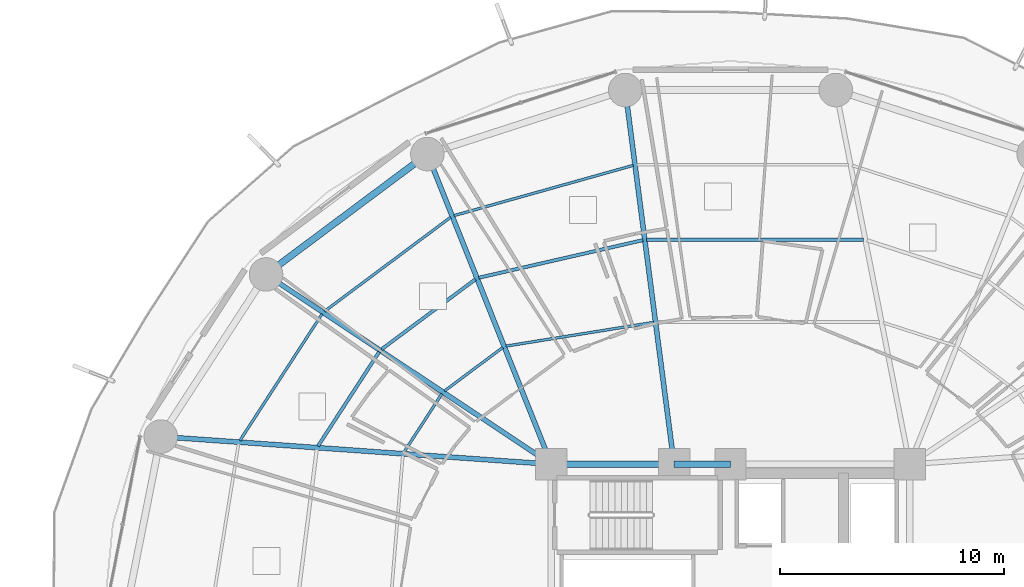
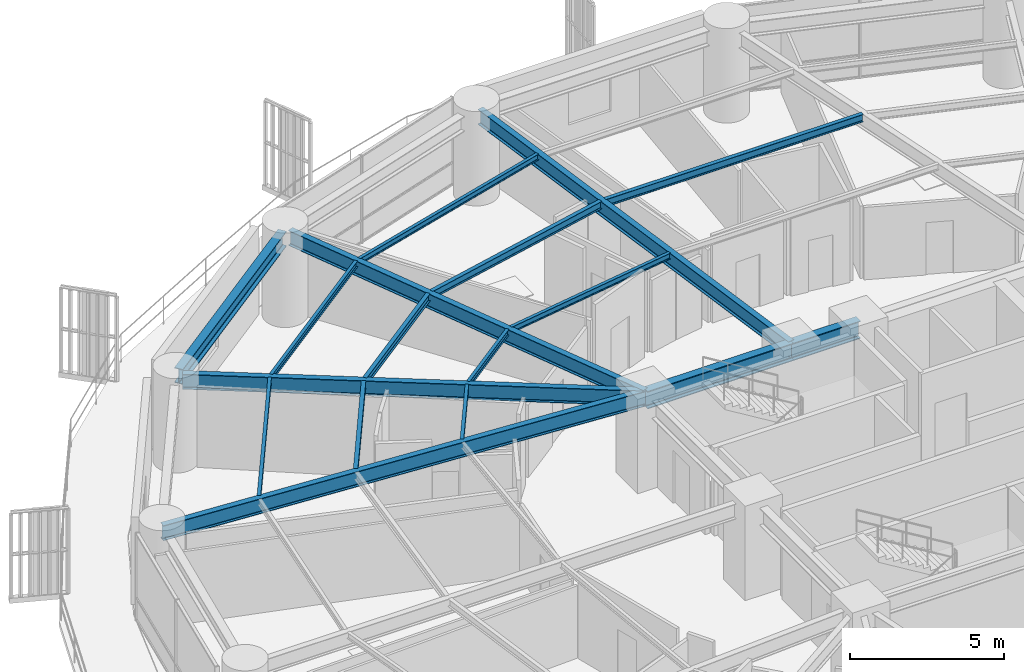
# One storey, part 16 of 33: 17 beams.
"""IFC4 building model written with IfcOpenShell, lengths in metres."""

from ifc_helpers import new_model, si_unit, direction, frame, origin, origin_2d, place, context, subcontext, project, spatial, i_section, extrude, material, material_profile, profile_set, type_object, element, save


model = new_model("IFC4")

# Units and contexts
model_context = context("Model", 3, precision=1e-05, world=origin(), true_north=direction((0.0, 1.0)))
body_context = subcontext(model_context, "Body", "Model", "MODEL_VIEW")
ifc_project = project(units=[si_unit("LENGTHUNIT", "METRE"), si_unit("AREAUNIT", "SQUARE_METRE"), si_unit("VOLUMEUNIT", "CUBIC_METRE"), si_unit("PLANEANGLEUNIT", "RADIAN"), si_unit("MASSUNIT", "GRAM", prefix="KILO")], contexts=[model_context])

# Site, building, storey
site_placement = place(None, origin())
site = spatial("IfcSite", under=ifc_project, at=site_placement, CompositionType="ELEMENT")
building_placement = place(site_placement, origin())
building = spatial("IfcBuilding", under=site, at=building_placement, Name="Kelanora Arch Commons", CompositionType="ELEMENT")
storey_placement = place(building_placement, frame((0.0, 0.0, 37.5)))
storey = spatial("IfcBuildingStorey", under=building, at=storey_placement, Name="L09", CompositionType="ELEMENT", Elevation=37.5)

# Beams
ifc_material = material(Name="Steel S355", Category="steel")
ifc_material_profile_1 = material_profile(ifc_material, i_section(OverallWidth=0.300048828125, OverallDepth=0.699951171875, WebThickness=0.01708984375, FlangeThickness=0.031982421875, FilletRadius=0.027099609375, at=origin_2d()), Name="HEB700")
ifc_profile_set_1 = profile_set([ifc_material_profile_1], Name="Steel S355")
beam_type_1 = type_object("IfcBeamType", Name="BM-CORE-HDR", PredefinedType="BEAM", material=ifc_profile_set_1)
beam_1_placement = place(storey_placement, frame((74.0, 65.0, 3.139892578125), z_axis=(-1.0, 0.0, 0.0), x_axis=(0.0, -1.0, 0.0)))
element("IfcBeam", 1, at=beam_1_placement, inside=storey, type_object=beam_type_1, Name="Core Header Beam 06 L09", PredefinedType="BEAM", context=body_context, shape_type="SweptSolid", body=[
    extrude(i_section(OverallWidth=0.300048828125, OverallDepth=0.699951171875, WebThickness=0.01708984375, FlangeThickness=0.031982421875, FilletRadius=0.027099609375, at=origin_2d()), origin(), (0.0, 0.0, 1.0), 2.52001953125),
])
beam_2_placement = place(storey_placement, frame((71.47998046875, 65.0, 3.139892578125), z_axis=(-1.0, 0.0, 0.0), x_axis=(0.0, -1.0, 0.0)))
element("IfcBeam", 2, at=beam_2_placement, inside=storey, type_object=beam_type_1, Name="Core Header Beam 07 L09", PredefinedType="BEAM", context=body_context, shape_type="SweptSolid", body=[
    extrude(i_section(OverallWidth=0.300048828125, OverallDepth=0.699951171875, WebThickness=0.01708984375, FlangeThickness=0.031982421875, FilletRadius=0.027099609375, at=origin_2d()), origin(), (0.0, 0.0, 1.0), 5.47998046875),
])
ifc_material_profile_2 = material_profile(ifc_material, i_section(OverallWidth=0.14990234375, OverallDepth=0.300048828125, WebThickness=0.007080078125, FlangeThickness=0.0107421875, FilletRadius=0.014892578125, at=origin_2d()), Name="IPE300")
ifc_profile_set_2 = profile_set([ifc_material_profile_2], Name="Steel S355")
beam_type_2 = type_object("IfcBeamType", Name="BM-JST-01", PredefinedType="JOIST", material=ifc_profile_set_2)
beam_3_placement = place(storey_placement, frame((79.936279296875, 75.028564453125, 3.340087890625), z_axis=(-1.0, 0.0, 0.0), x_axis=(0.0, -1.0, 0.0)))
element("IfcBeam", 3, at=beam_3_placement, inside=storey, type_object=beam_type_2, Name="Secondary Chord Joist BJB-08 L09", PredefinedType="JOIST", context=body_context, shape_type="SweptSolid", body=[
    extrude(i_section(OverallWidth=0.14990234375, OverallDepth=0.300048828125, WebThickness=0.007080078125, FlangeThickness=0.0107421875, FilletRadius=0.014892578125, at=origin_2d()), origin(), (0.0, 0.0, 1.0), 9.6806640625),
])
beam_4_placement = place(storey_placement, frame((70.087646484375, 75.009521484375, 3.340087890625), z_axis=(-0.974770159254, -0.223210968877, 0.0), x_axis=(0.223210968877, -0.974770159254, 0.0)))
element("IfcBeam", 4, at=beam_4_placement, inside=storey, type_object=beam_type_2, Name="Secondary Chord Joist BJB-10 L09", PredefinedType="JOIST", context=body_context, shape_type="SweptSolid", body=[
    extrude(i_section(OverallWidth=0.14990234375, OverallDepth=0.300048828125, WebThickness=0.007080078125, FlangeThickness=0.0107421875, FilletRadius=0.014892578125, at=origin_2d()), origin(), (0.0, 0.0, 1.0), 7.5185546875),
])
beam_5_placement = place(storey_placement, frame((62.60791015625, 73.261474609375, 3.340087890625), z_axis=(-0.801478251559, -0.598023922831, 0.0), x_axis=(0.598023922831, -0.801478251559, 0.0)))
element("IfcBeam", 5, at=beam_5_placement, inside=storey, type_object=beam_type_2, Name="Secondary Chord Joist BJB-12 L09", PredefinedType="JOIST", context=body_context, shape_type="SweptSolid", body=[
    extrude(i_section(OverallWidth=0.14990234375, OverallDepth=0.300048828125, WebThickness=0.007080078125, FlangeThickness=0.0107421875, FilletRadius=0.014892578125, at=origin_2d()), origin(), (0.0, 0.0, 1.0), 5.223388671875),
])
beam_6_placement = place(storey_placement, frame((58.306884765625, 70.015625, 3.340087890625), z_axis=(-0.544551588245, -0.838727350061, 0.0), x_axis=(0.838727350061, -0.544551588245, 0.0)))
element("IfcBeam", 6, at=beam_6_placement, inside=storey, type_object=beam_type_2, Name="Secondary Chord Joist BJB-14 L09", PredefinedType="JOIST", context=body_context, shape_type="SweptSolid", body=[
    extrude(i_section(OverallWidth=0.14990234375, OverallDepth=0.300048828125, WebThickness=0.007080078125, FlangeThickness=0.0107421875, FilletRadius=0.014892578125, at=origin_2d()), origin(), (0.0, 0.0, 1.0), 5.010986328125),
])
ifc_material_profile_3 = material_profile(ifc_material, i_section(OverallWidth=0.1201171875, OverallDepth=0.239990234375, WebThickness=0.006103515625, FlangeThickness=0.009765625, FilletRadius=0.014892578125, at=origin_2d()), Name="IPE240")
ifc_profile_set_3 = profile_set([ifc_material_profile_3], Name="Steel S355")
beam_type_3 = type_object("IfcBeamType", Name="BM-JST-02", PredefinedType="JOIST", material=ifc_profile_set_3)
beam_7_placement = place(storey_placement, frame((70.56689453125, 71.337890625, 3.3701171875), z_axis=(-0.987306715654, -0.158825215959, 0.0), x_axis=(0.158825215959, -0.987306715654, 0.0)))
element("IfcBeam", 7, at=beam_7_placement, inside=storey, type_object=beam_type_3, Name="Secondary Chord Joist BJA-10 L09", PredefinedType="JOIST", context=body_context, shape_type="SweptSolid", body=[
    extrude(i_section(OverallWidth=0.1201171875, OverallDepth=0.239990234375, WebThickness=0.006103515625, FlangeThickness=0.009765625, FilletRadius=0.014892578125, at=origin_2d()), origin(), (0.0, 0.0, 1.0), 6.6728515625),
])
beam_8_placement = place(storey_placement, frame((69.652099609375, 78.348388671875, 3.3701171875), z_axis=(-0.962914880978, -0.269805359456, 0.0), x_axis=(0.269805359456, -0.962914880978, 0.0)))
element("IfcBeam", 8, at=beam_8_placement, inside=storey, type_object=beam_type_3, Name="Secondary Chord Joist BJC-10 L09", PredefinedType="JOIST", context=body_context, shape_type="SweptSolid", body=[
    extrude(i_section(OverallWidth=0.1201171875, OverallDepth=0.239990234375, WebThickness=0.006103515625, FlangeThickness=0.009765625, FilletRadius=0.014892578125, at=origin_2d()), origin(), (0.0, 0.0, 1.0), 8.310302734375),
])
beam_9_placement = place(storey_placement, frame((63.82666015625, 70.213623046875, 3.3701171875), z_axis=(-0.801513822608, -0.59797624716, 0.0), x_axis=(0.59797624716, -0.801513822608, 0.0)))
element("IfcBeam", 9, at=beam_9_placement, inside=storey, type_object=beam_type_3, Name="Secondary Chord Joist BJA-12 L09", PredefinedType="JOIST", context=body_context, shape_type="SweptSolid", body=[
    extrude(i_section(OverallWidth=0.1201171875, OverallDepth=0.239990234375, WebThickness=0.006103515625, FlangeThickness=0.009765625, FilletRadius=0.014892578125, at=origin_2d()), origin(), (0.0, 0.0, 1.0), 3.245849609375),
])
beam_10_placement = place(storey_placement, frame((61.5, 76.0322265625, 3.3701171875), z_axis=(-0.80149131963, -0.598006408459, 0.0), x_axis=(0.598006408459, -0.80149131963, 0.0)))
element("IfcBeam", 10, at=beam_10_placement, inside=storey, type_object=beam_type_3, Name="Secondary Chord Joist BJC-12 L09", PredefinedType="JOIST", context=body_context, shape_type="SweptSolid", body=[
    extrude(i_section(OverallWidth=0.1201171875, OverallDepth=0.239990234375, WebThickness=0.006103515625, FlangeThickness=0.009765625, FilletRadius=0.014892578125, at=origin_2d()), origin(), (0.0, 0.0, 1.0), 7.021240234375),
])
beam_11_placement = place(storey_placement, frame((61.11083984375, 68.150390625, 3.3701171875), z_axis=(-0.544591105858, -0.838701691557, 0.0), x_axis=(0.838701691557, -0.544591105858, 0.0)))
element("IfcBeam", 11, at=beam_11_placement, inside=storey, type_object=beam_type_3, Name="Secondary Chord Joist BJA-14 L09", PredefinedType="JOIST", context=body_context, shape_type="SweptSolid", body=[
    extrude(i_section(OverallWidth=0.1201171875, OverallDepth=0.239990234375, WebThickness=0.006103515625, FlangeThickness=0.009765625, FilletRadius=0.014892578125, at=origin_2d()), origin(), (0.0, 0.0, 1.0), 3.111328125),
])
beam_12_placement = place(storey_placement, frame((55.758056640625, 71.711181640625, 3.3701171875), z_axis=(-0.544550165372, -0.838728273873, 0.0), x_axis=(0.838728273873, -0.544550165372, 0.0)))
element("IfcBeam", 12, at=beam_12_placement, inside=storey, type_object=beam_type_3, Name="Secondary Chord Joist BJC-14 L09", PredefinedType="JOIST", context=body_context, shape_type="SweptSolid", body=[
    extrude(i_section(OverallWidth=0.1201171875, OverallDepth=0.239990234375, WebThickness=0.006103515625, FlangeThickness=0.009765625, FilletRadius=0.014892578125, at=origin_2d()), origin(), (0.0, 0.0, 1.0), 6.738037109375),
])
ifc_material_profile_4 = material_profile(ifc_material, i_section(OverallWidth=0.219970703125, OverallDepth=0.60009765625, WebThickness=0.011962890625, FlangeThickness=0.01904296875, FilletRadius=0.02392578125, at=origin_2d()), Name="IPE600")
ifc_profile_set_4 = profile_set([ifc_material_profile_4], Name="Steel S355")
beam_type_4 = type_object("IfcBeamType", Name="BM-RAD-Z1", PredefinedType="BEAM", material=ifc_profile_set_4)
beam_13_placement = place(storey_placement, frame((71.47998046875, 65.0, 3.18994140625), z_axis=(-0.129465914729, 0.991583872864, 0.0), x_axis=(-0.991583872864, -0.129465914729, 0.0)))
element("IfcBeam", 13, at=beam_13_placement, inside=storey, type_object=beam_type_4, Name="Radial Floor Girder BR-10 L09", PredefinedType="BEAM", context=body_context, shape_type="SweptSolid", body=[
    extrude(i_section(OverallWidth=0.219970703125, OverallDepth=0.60009765625, WebThickness=0.011962890625, FlangeThickness=0.01904296875, FilletRadius=0.02392578125, at=origin_2d()), origin(), (0.0, 0.0, 1.0), 16.635986328125),
])
beam_14_placement = place(storey_placement, frame((66.0, 65.0, 3.18994140625), z_axis=(-0.371296182896, 0.928514482691, 0.0), x_axis=(-0.928514482691, -0.371296182896, 0.0)))
element("IfcBeam", 14, at=beam_14_placement, inside=storey, type_object=beam_type_4, Name="Radial Floor Girder BR-12 L09", PredefinedType="BEAM", context=body_context, shape_type="SweptSolid", body=[
    extrude(i_section(OverallWidth=0.219970703125, OverallDepth=0.60009765625, WebThickness=0.011962890625, FlangeThickness=0.01904296875, FilletRadius=0.02392578125, at=origin_2d()), origin(), (0.0, 0.0, 1.0), 14.700439453125),
])
beam_15_placement = place(storey_placement, frame((66.0, 65.0, 3.18994140625), z_axis=(-0.832592623638, 0.553885839379, 0.0), x_axis=(-0.553885839379, -0.832592623638, 0.0)))
element("IfcBeam", 15, at=beam_15_placement, inside=storey, type_object=beam_type_4, Name="Radial Floor Girder BR-14 L09", PredefinedType="BEAM", context=body_context, shape_type="SweptSolid", body=[
    extrude(i_section(OverallWidth=0.219970703125, OverallDepth=0.60009765625, WebThickness=0.011962890625, FlangeThickness=0.01904296875, FilletRadius=0.02392578125, at=origin_2d()), origin(), (0.0, 0.0, 1.0), 15.0869140625),
])
beam_16_placement = place(storey_placement, frame((66.0, 65.0, 3.18994140625), z_axis=(-0.997500683472, 0.070656821848, 0.0), x_axis=(-0.070656821848, -0.997500683472, 0.0)))
element("IfcBeam", 16, at=beam_16_placement, inside=storey, type_object=beam_type_4, Name="Radial Floor Girder BR-16 L09", PredefinedType="BEAM", context=body_context, shape_type="SweptSolid", body=[
    extrude(i_section(OverallWidth=0.219970703125, OverallDepth=0.60009765625, WebThickness=0.011962890625, FlangeThickness=0.01904296875, FilletRadius=0.02392578125, at=origin_2d()), origin(), (0.0, 0.0, 1.0), 17.49072265625),
])
ifc_material_profile_5 = material_profile(ifc_material, i_section(OverallWidth=0.300048828125, OverallDepth=0.60009765625, WebThickness=0.015380859375, FlangeThickness=0.030029296875, FilletRadius=0.027099609375, at=origin_2d()), Name="HEB600")
ifc_profile_set_5 = profile_set([ifc_material_profile_5], Name="Steel S355")
beam_type_5 = type_object("IfcBeamType", Name="BM-SPN-Z1", PredefinedType="SPANDREL", material=ifc_profile_set_5)
beam_17_placement = place(storey_placement, frame((60.28369140625, 78.722412109375, 3.18994140625), z_axis=(-0.801474585329, -0.598028836322, 0.0), x_axis=(0.598028836322, -0.801474585329, 0.0)))
element("IfcBeam", 17, at=beam_17_placement, inside=storey, type_object=beam_type_5, Name="Perimeter Spandrel Beam BS-12 L09", PredefinedType="SPANDREL", context=body_context, shape_type="SweptSolid", body=[
    extrude(i_section(OverallWidth=0.300048828125, OverallDepth=0.60009765625, WebThickness=0.015380859375, FlangeThickness=0.030029296875, FilletRadius=0.027099609375, at=origin_2d()), origin(), (0.0, 0.0, 1.0), 8.549072265625),
])

save(model, "model.ifc")
